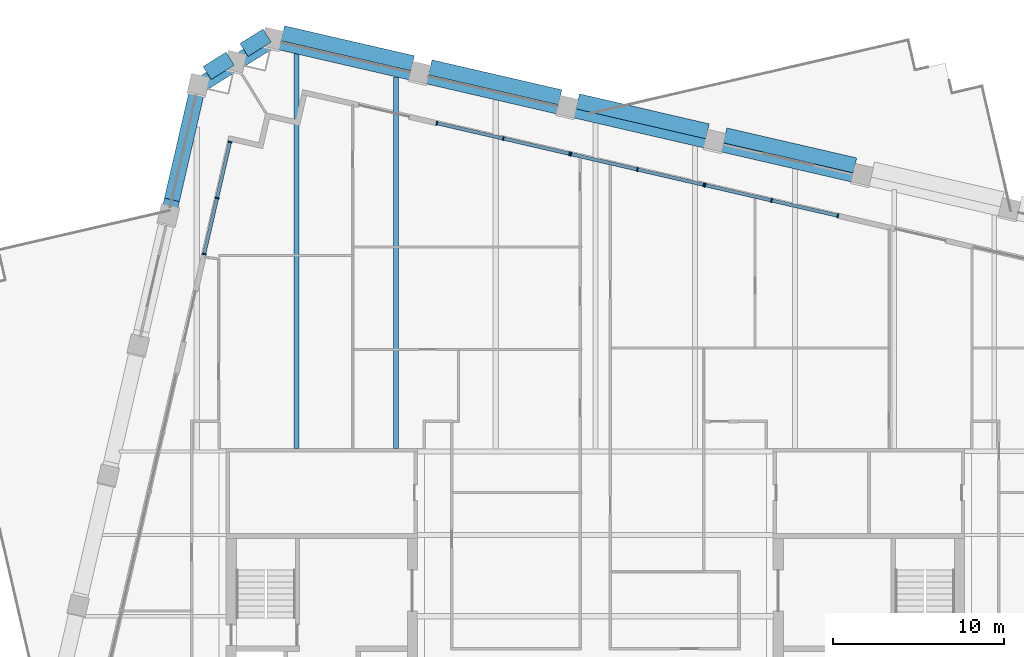
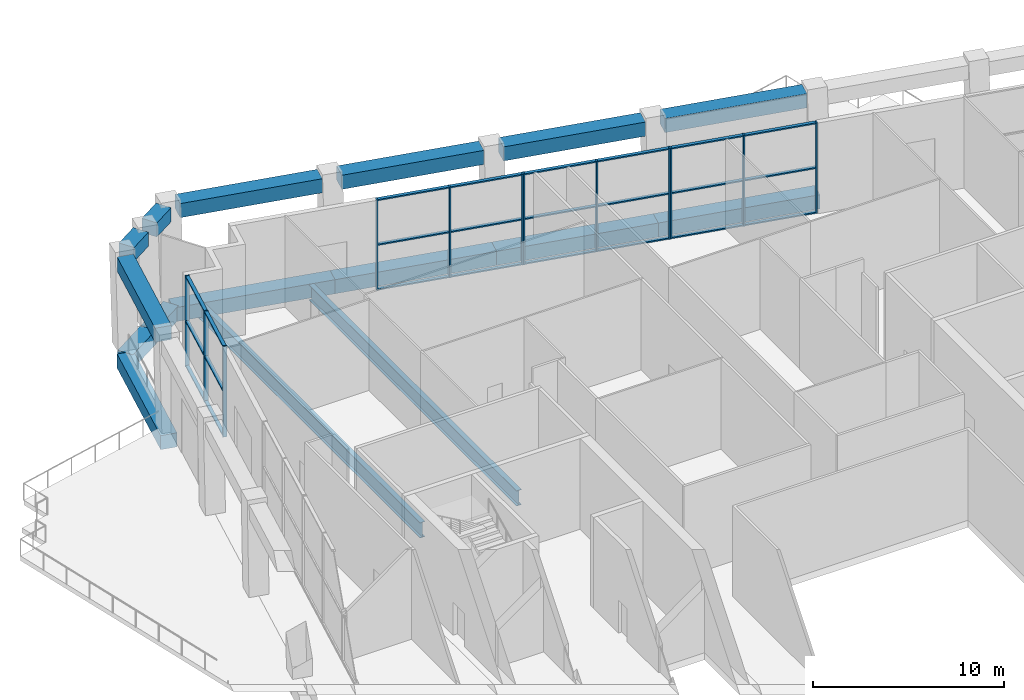
# One storey, part 8 of 21: 36 members, 16 beams, 4 elements without a shape of their own.
"""IFC4 building model written with IfcOpenShell, lengths in metres."""

import ifcopenshell
import ifcopenshell.guid

model = None  # the IFC model being written
_history = None  # IfcOwnerHistory: only IFC2X3 demands one
_inside = {}  # id of a spatial element -> (the spatial element, [elements in it])
_under = {}  # id of a project, library or spatial element -> (it, [spatial elements below it])
_declared = {}  # id of a project -> (the project, [libraries it declares])
_typed = {}  # id of a type object -> (the type object, [elements of that type])
_made_of = {}  # id of a material, layer set ... -> (it, [elements and type objects made of it])


def new_model(schema):
    """Start an empty IFC model of exactly this schema.

    Asked for "IFC4X3", IfcOpenShell would pick the latest addendum, in which some entities
    have other attributes; the version numbers below select the first issue.
    IFC2X3 requires an IfcOwnerHistory on every rooted entity: one is made here for all.
    """
    global model, _history
    if schema == "IFC4X3":
        model = ifcopenshell.file(schema_version=(4, 3, 0, 0))
    else:
        model = ifcopenshell.file(schema=schema)
    _inside.clear()
    _under.clear()
    _declared.clear()
    _typed.clear()
    _made_of.clear()
    _history = None
    if model.schema == "IFC2X3":
        org = make("IfcOrganization", Name="unknown")
        user = make(
            "IfcPersonAndOrganization",
            ThePerson=make("IfcPerson", FamilyName="unknown"),
            TheOrganization=org,
        )
        app = make(
            "IfcApplication",
            ApplicationDeveloper=org,
            Version="unknown",
            ApplicationFullName="unknown",
            ApplicationIdentifier="unknown",
        )
        _history = make(
            "IfcOwnerHistory",
            OwningUser=user,
            OwningApplication=app,
            ChangeAction="ADDED",
            CreationDate=0,
        )
    return model


def make(cls, **values):
    """One entity of the class cls with the attributes given. An attribute that is None is left unset."""
    return model.create_entity(
        cls, **{name: value for name, value in values.items() if value is not None}
    )


def rooted(cls, **values):
    """An entity with a GlobalId (a new one), such as an element, a storey or a relation."""
    return make(cls, GlobalId=ifcopenshell.guid.new(), OwnerHistory=_history, **values)


def si_unit(unit_type, name, prefix=None):
    """IfcSIUnit, for example si_unit("LENGTHUNIT", "METRE", prefix="MILLI")."""
    return make("IfcSIUnit", UnitType=unit_type, Prefix=prefix, Name=name)


def assignment(units):
    """IfcUnitAssignment: the units of a project."""
    return None if units is None else make("IfcUnitAssignment", Units=units)


def point(xyz):
    """IfcCartesianPoint."""
    return None if xyz is None else make("IfcCartesianPoint", Coordinates=xyz)


def direction(xyz):
    """IfcDirection."""
    return None if xyz is None else make("IfcDirection", DirectionRatios=xyz)


def frame(location, z_axis=None, x_axis=None):
    """IfcAxis2Placement3D, a coordinate frame: its origin and axes. An axis left out is left unset."""
    return make(
        "IfcAxis2Placement3D",
        Location=point(location),
        Axis=direction(z_axis),
        RefDirection=direction(x_axis),
    )


def frame_2d(location, x_axis=None):
    """IfcAxis2Placement2D, a coordinate frame in the plane: its origin and x axis."""
    return make(
        "IfcAxis2Placement2D", Location=point(location), RefDirection=direction(x_axis)
    )


def origin():
    """The frame at (0, 0, 0) with its axes left unset."""
    return frame((0.0, 0.0, 0.0))


def origin_2d():
    """The frame at (0, 0) in the plane with its x axis left unset."""
    return frame_2d((0.0, 0.0))


def place(relative_to, where):
    """IfcLocalPlacement: puts the frame where relative to a parent placement (None: the world)."""
    return make(
        "IfcLocalPlacement", PlacementRelTo=relative_to, RelativePlacement=where
    )


def context(
    kind, dimensions, precision=None, world=None, true_north=None, identifier=None
):
    """IfcGeometricRepresentationContext, for example the 3D "Model" context."""
    return make(
        "IfcGeometricRepresentationContext",
        ContextIdentifier=identifier,
        ContextType=kind,
        CoordinateSpaceDimension=dimensions,
        Precision=precision,
        WorldCoordinateSystem=world,
        TrueNorth=true_north,
    )


def subcontext(parent, identifier, kind, view, scale=None):
    """IfcGeometricRepresentationSubContext, for example "Body" below "Model"."""
    return make(
        "IfcGeometricRepresentationSubContext",
        ContextIdentifier=identifier,
        ContextType=kind,
        ParentContext=parent,
        TargetScale=scale,
        TargetView=view,
    )


def project(units=None, contexts=None):
    """IfcProject with its units and contexts."""
    return rooted(
        "IfcProject",
        Name="project",
        RepresentationContexts=contexts,
        UnitsInContext=assignment(units),
    )


def spatial(cls, under=None, at=None, **own):
    """A site, building, storey or space (cls), placed at a placement, below another one or the project."""
    s = rooted(cls, ObjectPlacement=at, **own)
    if under is not None:
        _under.setdefault(under.id(), (under, []))[1].append(s)
    return s


def profile(cls, at=None, kind="AREA", **sizes):
    """A parametric profile (cls). Its sizes go by their IFC names, for example OverallWidth=200.0."""
    return make(cls, ProfileType=kind, Position=at, **sizes)


def rectangle(**sizes):
    """IfcRectangleProfileDef."""
    return profile("IfcRectangleProfileDef", **sizes)


def i_section(**sizes):
    """IfcIShapeProfileDef."""
    return profile("IfcIShapeProfileDef", **sizes)


def extrude(swept, where, along, depth):
    """IfcExtrudedAreaSolid: the profile swept, set in the frame where, extruded along a direction by depth."""
    return make(
        "IfcExtrudedAreaSolid",
        SweptArea=swept,
        Position=where,
        ExtrudedDirection=direction(along),
        Depth=depth,
    )


def shape(context_of_items, identifier, shape_type, items):
    """IfcShapeRepresentation: the items that make up one representation, for example the "Body"."""
    return make(
        "IfcShapeRepresentation",
        ContextOfItems=context_of_items,
        RepresentationIdentifier=identifier,
        RepresentationType=shape_type,
        Items=items,
    )


def material(Name=None, Category=None):
    """IfcMaterial."""
    return make("IfcMaterial", Name=Name, Category=Category)


def material_profile(
    of_material, cross_section, Name=None, Category=None, Priority=None
):
    """IfcMaterialProfile: a cross section and its material."""
    return make(
        "IfcMaterialProfile",
        Name=Name,
        Material=of_material,
        Profile=cross_section,
        Priority=Priority,
        Category=Category,
    )


def profile_set(profiles, Name=None, composite=None):
    """IfcMaterialProfileSet."""
    return make(
        "IfcMaterialProfileSet",
        Name=Name,
        MaterialProfiles=profiles,
        CompositeProfile=composite,
    )


def made_of(thing, what):
    """Note that an element or type object is made of a material, layer set ...; save() writes the relation."""
    if what is not None:
        _made_of.setdefault(what.id(), (what, []))[1].append(thing)
    return thing


def type_object(cls, material=None, **own):
    """A type object (cls), such as IfcWallType, which elements share."""
    return made_of(rooted(cls, **own), material)


def element(
    cls,
    number,
    at=None,
    inside=None,
    cuts=None,
    type_object=None,
    material=None,
    context=None,
    identifier="Body",
    shape_type=None,
    held_by="IfcProductDefinitionShape",
    body=None,
    shapes=None,
    **own,
):
    """One element of the class cls, such as IfcWall. Its Tag is "e" and its number.

    at: its placement. inside: the storey or other place that contains it. cuts: it is an
    opening in that element (IfcRelVoidsElement). A single representation is given by context,
    identifier, shape_type and body (its items); several are given by shapes. held_by: the class
    of the entity that holds the representations. save() writes the other relations.
    """
    e = rooted(cls, Tag="e%d" % number, ObjectPlacement=at, **own)
    if body is not None:
        shapes = [shape(context, identifier, shape_type, body)]
    if shapes is not None:
        e.Representation = make(held_by, Representations=shapes)
    if inside is not None:
        _inside.setdefault(inside.id(), (inside, []))[1].append(e)
    if cuts is not None:
        rooted(
            "IfcRelVoidsElement", RelatingBuildingElement=cuts, RelatedOpeningElement=e
        )
    if type_object is not None:
        _typed.setdefault(type_object.id(), (type_object, []))[1].append(e)
    return made_of(e, material)


def aggregate(whole, parts):
    """IfcRelAggregates: a whole, such as a stair, and the parts it consists of."""
    return rooted("IfcRelAggregates", RelatingObject=whole, RelatedObjects=parts)


def save(model, path):
    """Write the relations noted so far, then the file.

    IfcRelAggregates (storeys below a building ...), IfcRelContainedInSpatialStructure (elements
    in a storey), IfcRelDefinesByType, IfcRelAssociatesMaterial and IfcRelDeclares: one each for
    every whole, place, type object, material and project.
    """
    for whole, parts in _under.values():
        aggregate(whole, parts)
    for where, things in _inside.values():
        rooted(
            "IfcRelContainedInSpatialStructure",
            RelatedElements=things,
            RelatingStructure=where,
        )
    for kind, things in _typed.values():
        rooted("IfcRelDefinesByType", RelatedObjects=things, RelatingType=kind)
    for what, things in _made_of.values():
        rooted("IfcRelAssociatesMaterial", RelatedObjects=things, RelatingMaterial=what)
    for by, libraries in _declared.values():
        rooted("IfcRelDeclares", RelatingContext=by, RelatedDefinitions=libraries)
    model.write(path)


model = new_model("IFC4")

# Units and contexts
model_context = context("Model", 3, precision=1e-05, world=origin(), true_north=direction((0.0, 1.0)))
body_context = subcontext(model_context, "Body", "Model", "MODEL_VIEW")
ifc_project = project(units=[si_unit("LENGTHUNIT", "METRE"), si_unit("AREAUNIT", "SQUARE_METRE"), si_unit("VOLUMEUNIT", "CUBIC_METRE"), si_unit("PLANEANGLEUNIT", "RADIAN"), si_unit("MASSUNIT", "GRAM", prefix="KILO")], contexts=[model_context])

# Site, building, storey
site_placement = place(None, origin())
site = spatial("IfcSite", under=ifc_project, at=site_placement, CompositionType="ELEMENT")
building_placement = place(site_placement, origin())
building = spatial("IfcBuilding", under=site, at=building_placement, Name="Ogive Exchange Tower", CompositionType="ELEMENT")
storey_placement = place(building_placement, frame((0.0, 0.0, 237.0)))
storey = spatial("IfcBuildingStorey", under=building, at=storey_placement, Name="L51", CompositionType="ELEMENT", Elevation=237.0)

# Beams
ifc_material_1 = material(Name="Steel ASTM A992 Gr50", Category="steel")
ifc_material_profile_1 = material_profile(ifc_material_1, i_section(OverallWidth=0.300048828125, OverallDepth=0.97998046875, WebThickness=0.0166015625, FlangeThickness=0.026123046875, at=origin_2d()), Name="W1000x249")
ifc_profile_set_1 = profile_set([ifc_material_profile_1], Name="Steel ASTM A992 Gr50")
beam_type_1 = type_object("IfcBeamType", Name="Floor beam W1000x249", PredefinedType="JOIST", material=ifc_profile_set_1)
beam_1_placement = place(storey_placement, frame((-17.489501953125, 30.699951171875, -0.93994140625), z_axis=(0.0, 1.0, 0.0), x_axis=(-1.0, 0.0, 0.0)))
element("IfcBeam", 1, at=beam_1_placement, inside=storey, type_object=beam_type_1, Name="Floor beam", PredefinedType="JOIST", context=body_context, shape_type="SweptSolid", body=[
    extrude(i_section(OverallWidth=0.300048828125, OverallDepth=0.97998046875, WebThickness=0.0166015625, FlangeThickness=0.026123046875, at=origin_2d()), origin(), (0.0, 0.0, 1.0), 23.23876953125),
])
beam_2_placement = place(storey_placement, frame((-11.65966796875, 30.699951171875, -0.93994140625), z_axis=(0.0, 1.0, 0.0), x_axis=(-1.0, 0.0, 0.0)))
element("IfcBeam", 2, at=beam_2_placement, inside=storey, type_object=beam_type_1, Name="Floor beam", PredefinedType="JOIST", context=body_context, shape_type="SweptSolid", body=[
    extrude(i_section(OverallWidth=0.300048828125, OverallDepth=0.97998046875, WebThickness=0.0166015625, FlangeThickness=0.026123046875, at=origin_2d()), origin(), (0.0, 0.0, 1.0), 21.742919921875),
])
ifc_material_2 = material(Name="Precast concrete C70/85 (limestone faced)", Category="masonry")
ifc_material_profile_2 = material_profile(ifc_material_2, rectangle(XDim=0.89990234375, YDim=0.89990234375, at=origin_2d()), Name="900 x 900")
ifc_profile_set_2 = profile_set([ifc_material_profile_2], Name="Precast concrete C70/85 (limestone faced)")
beam_type_2 = type_object("IfcBeamType", Name="Precast spandrel 900 x 900 C70/85", PredefinedType="SPANDREL", material=ifc_profile_set_2)
beam_3_placement = place(storey_placement, frame((15.180419921875, 47.267822265625, 5.300048828125), z_axis=(-0.974367949416, 0.224960216819, 0.0), x_axis=(-0.224960216819, -0.974367949416, 0.0)))
element("IfcBeam", 3, at=beam_3_placement, inside=storey, type_object=beam_type_2, Name="Spandrel 20", PredefinedType="SPANDREL", context=body_context, shape_type="SweptSolid", body=[
    extrude(rectangle(XDim=0.89990234375, YDim=0.89990234375, at=origin_2d()), origin(), (0.0, 0.0, 1.0), 7.7900390625),
])
beam_4_placement = place(storey_placement, frame((6.557373046875, 49.2587890625, 5.300048828125), z_axis=(-0.97437640416, 0.22492359373, 0.0), x_axis=(-0.22492359373, -0.97437640416, 0.0)))
element("IfcBeam", 4, at=beam_4_placement, inside=storey, type_object=beam_type_2, Name="Spandrel 21", PredefinedType="SPANDREL", context=body_context, shape_type="SweptSolid", body=[
    extrude(rectangle(XDim=0.89990234375, YDim=0.89990234375, at=origin_2d()), origin(), (0.0, 0.0, 1.0), 7.790283203125),
])
beam_5_placement = place(storey_placement, frame((-2.06591796875, 51.24951171875, 5.300048828125), z_axis=(-0.974367949416, 0.224960216819, 0.0), x_axis=(-0.224960216819, -0.974367949416, 0.0)))
element("IfcBeam", 5, at=beam_5_placement, inside=storey, type_object=beam_type_2, Name="Spandrel 22", PredefinedType="SPANDREL", context=body_context, shape_type="SweptSolid", body=[
    extrude(rectangle(XDim=0.89990234375, YDim=0.89990234375, at=origin_2d()), origin(), (0.0, 0.0, 1.0), 7.7900390625),
])
beam_6_placement = place(storey_placement, frame((-10.689208984375, 53.240478515625, 5.300048828125), z_axis=(-0.9743732329, 0.224937331291, 0.0), x_axis=(-0.224937331291, -0.9743732329, 0.0)))
element("IfcBeam", 6, at=beam_6_placement, inside=storey, type_object=beam_type_2, Name="Spandrel 23", PredefinedType="SPANDREL", context=body_context, shape_type="SweptSolid", body=[
    extrude(rectangle(XDim=0.89990234375, YDim=0.89990234375, at=origin_2d()), origin(), (0.0, 0.0, 1.0), 7.789794921875),
])
for number, where, z_axis, x_axis, name in (
    (7, (-19.200927734375, 54.85888671875, 5.300048828125), (-0.84798967817, -0.53001274109, 0.0), (0.53001274109, -0.84798967817, 0.0), "Spandrel 24"),
    (8, (-21.35986328125, 53.509765625, 5.300048828125), (-0.848058683477, -0.529902320601, 0.0), (0.529902320601, -0.848058683477, 0.0), "Spandrel 25"),
):
    element("IfcBeam", number, at=place(storey_placement, frame(where, z_axis=z_axis, x_axis=x_axis)), inside=storey, type_object=beam_type_2, Name=name, PredefinedType="SPANDREL", context=body_context, shape_type="SweptSolid", body=[
        extrude(rectangle(XDim=0.89990234375, YDim=0.89990234375, at=origin_2d()), origin(), (0.0, 0.0, 1.0), 1.590087890625),
    ])
beam_7_placement = place(storey_placement, frame((-23.232666015625, 51.897705078125, 5.300048828125), z_axis=(-0.224945807101, -0.974371276192, 0.0), x_axis=(0.974371276192, -0.224945807101, 0.0)))
element("IfcBeam", 9, at=beam_7_placement, inside=storey, type_object=beam_type_2, Name="Spandrel 26", PredefinedType="SPANDREL", context=body_context, shape_type="SweptSolid", body=[
    extrude(rectangle(XDim=0.89990234375, YDim=0.89990234375, at=origin_2d()), origin(), (0.0, 0.0, 1.0), 6.818115234375),
])
ifc_material_profile_3 = material_profile(ifc_material_2, rectangle(XDim=0.89990234375, YDim=0.89990234375, at=origin_2d()), Name="900 x 900")
ifc_profile_set_3 = profile_set([ifc_material_profile_3], Name="Precast concrete C70/85 (limestone faced)")
beam_type_3 = type_object("IfcBeamType", Name="Precast transfer girder 900 x 900 C70/85", PredefinedType="BEAM", material=ifc_profile_set_3)
beam_8_placement = place(storey_placement, frame((15.57421875, 46.6171875, -0.89990234375), z_axis=(-0.974373060008, 0.224938080216, 0.0), x_axis=(-0.224938080216, -0.974373060008, 0.0)))
element("IfcBeam", 10, at=beam_8_placement, inside=storey, type_object=beam_type_3, Name="Transfer girder 20", PredefinedType="BEAM", context=body_context, shape_type="SweptSolid", body=[
    extrude(rectangle(XDim=0.89990234375, YDim=0.89990234375, at=origin_2d()), origin(), (0.0, 0.0, 1.0), 8.85009765625),
])
beam_9_placement = place(storey_placement, frame((6.950927734375, 48.60791015625, -0.89990234375), z_axis=(-0.974365617364, 0.224970317373, 0.0), x_axis=(-0.224970317373, -0.974365617364, 0.0)))
element("IfcBeam", 11, at=beam_9_placement, inside=storey, type_object=beam_type_3, Name="Transfer girder 21", PredefinedType="BEAM", context=body_context, shape_type="SweptSolid", body=[
    extrude(rectangle(XDim=0.89990234375, YDim=0.89990234375, at=origin_2d()), origin(), (0.0, 0.0, 1.0), 8.849853515625),
])
beam_10_placement = place(storey_placement, frame((-1.672119140625, 50.598876953125, -0.89990234375), z_axis=(-0.974373060008, 0.224938080216, 0.0), x_axis=(-0.224938080216, -0.974373060008, 0.0)))
element("IfcBeam", 12, at=beam_10_placement, inside=storey, type_object=beam_type_3, Name="Transfer girder 22", PredefinedType="BEAM", context=body_context, shape_type="SweptSolid", body=[
    extrude(rectangle(XDim=0.89990234375, YDim=0.89990234375, at=origin_2d()), origin(), (0.0, 0.0, 1.0), 8.85009765625),
])
beam_11_placement = place(storey_placement, frame((-10.29541015625, 52.589599609375, -0.89990234375), z_axis=(-0.974365617364, 0.224970317373, 0.0), x_axis=(-0.224970317373, -0.974365617364, 0.0)))
element("IfcBeam", 13, at=beam_11_placement, inside=storey, type_object=beam_type_3, Name="Transfer girder 23", PredefinedType="BEAM", context=body_context, shape_type="SweptSolid", body=[
    extrude(rectangle(XDim=0.89990234375, YDim=0.89990234375, at=origin_2d()), origin(), (0.0, 0.0, 1.0), 8.849853515625),
])
beam_12_placement = place(storey_placement, frame((-18.91845703125, 54.58056640625, -0.89990234375), z_axis=(-0.848036015, -0.529938597635, 0.0), x_axis=(0.529938597635, -0.848036015, 0.0)))
element("IfcBeam", 14, at=beam_12_placement, inside=storey, type_object=beam_type_3, Name="Transfer girder 24", PredefinedType="BEAM", context=body_context, shape_type="SweptSolid", body=[
    extrude(rectangle(XDim=0.89990234375, YDim=0.89990234375, at=origin_2d()), origin(), (0.0, 0.0, 1.0), 2.5458984375),
])
beam_13_placement = place(storey_placement, frame((-21.077392578125, 53.2314453125, -0.89990234375), z_axis=(-0.848052182659, -0.529912724405, 0.0), x_axis=(0.529912724405, -0.848052182659, 0.0)))
element("IfcBeam", 15, at=beam_13_placement, inside=storey, type_object=beam_type_3, Name="Transfer girder 25", PredefinedType="BEAM", context=body_context, shape_type="SweptSolid", body=[
    extrude(rectangle(XDim=0.89990234375, YDim=0.89990234375, at=origin_2d()), origin(), (0.0, 0.0, 1.0), 2.54541015625),
])
beam_14_placement = place(storey_placement, frame((-23.236083984375, 51.882568359375, -0.89990234375), z_axis=(-0.22495322987, -0.974369562523, 0.0), x_axis=(0.974369562523, -0.22495322987, 0.0)))
element("IfcBeam", 16, at=beam_14_placement, inside=storey, type_object=beam_type_3, Name="Transfer girder 26", PredefinedType="BEAM", context=body_context, shape_type="SweptSolid", body=[
    extrude(rectangle(XDim=0.89990234375, YDim=0.89990234375, at=origin_2d()), origin(), (0.0, 0.0, 1.0), 7.800048828125),
])

# Curtain wall, members
ifc_material_3 = material(Name="Anodised aluminium and clear glass", Category="aluminium")
curtain_wall_type = type_object("IfcCurtainWallType", Name="Winter garden glazing", PredefinedType="NOTDEFINED", material=ifc_material_3)
curtain_wall_1_placement = place(storey_placement, origin())
curtain_wall_1 = element("IfcCurtainWall", 17, at=curtain_wall_1_placement, inside=storey, type_object=curtain_wall_type, Name="Winter garden glazing run G16", PredefinedType="NOTDEFINED")
ifc_material_4 = material(Name="Anodised aluminium", Category="aluminium")
ifc_material_profile_4 = material_profile(ifc_material_4, rectangle(XDim=0.239990234375, YDim=0.080078125, at=origin_2d()), Name="AL 80x240")
ifc_profile_set_4 = profile_set([ifc_material_profile_4], Name="Anodised aluminium")
member_type_1 = type_object("IfcMemberType", Name="Winter garden glazing mullion 80 x 240", PredefinedType="MULLION", material=ifc_profile_set_4)
member_1_placement = place(storey_placement, frame((14.18212890625, 44.321533203125, 0.0), z_axis=(0.0, 0.0, 1.0), x_axis=(-0.224958396731, -0.974368369632, 0.0)))
member_1 = element("IfcMember", 18, at=member_1_placement, type_object=member_type_1, Name="G16 mullion 1", PredefinedType="MULLION", context=body_context, shape_type="SweptSolid", body=[
    extrude(rectangle(XDim=0.239990234375, YDim=0.080078125, at=origin_2d()), origin(), (0.0, 0.0, 1.0), 5.800048828125),
])
member_2_placement = place(storey_placement, frame((10.29931640625, 45.218017578125, 0.0), z_axis=(0.0, 0.0, 1.0), x_axis=(-0.224958396731, -0.974368369632, 0.0)))
member_2 = element("IfcMember", 19, at=member_2_placement, type_object=member_type_1, Name="G16 mullion 2", PredefinedType="MULLION", context=body_context, shape_type="SweptSolid", body=[
    extrude(rectangle(XDim=0.239990234375, YDim=0.080078125, at=origin_2d()), origin(), (0.0, 0.0, 1.0), 5.800048828125),
])
member_3_placement = place(storey_placement, frame((6.416259765625, 46.114501953125, 0.0), z_axis=(0.0, 0.0, 1.0), x_axis=(-0.224958396731, -0.974368369632, 0.0)))
member_3 = element("IfcMember", 20, at=member_3_placement, type_object=member_type_1, Name="G16 mullion 3", PredefinedType="MULLION", context=body_context, shape_type="SweptSolid", body=[
    extrude(rectangle(XDim=0.239990234375, YDim=0.080078125, at=origin_2d()), origin(), (0.0, 0.0, 1.0), 5.800048828125),
])

curtain_wall_2_placement = place(storey_placement, origin())
curtain_wall_2 = element("IfcCurtainWall", 21, at=curtain_wall_2_placement, inside=storey, type_object=curtain_wall_type, Name="Winter garden glazing run G17", PredefinedType="NOTDEFINED")
member_4_placement = place(storey_placement, frame((6.33837890625, 46.13232421875, 0.0), z_axis=(0.0, 0.0, 1.0), x_axis=(-0.224943880116, -0.974371721058, 0.0)))
member_4 = element("IfcMember", 22, at=member_4_placement, type_object=member_type_1, Name="G17 mullion 1", PredefinedType="MULLION", context=body_context, shape_type="SweptSolid", body=[
    extrude(rectangle(XDim=0.239990234375, YDim=0.080078125, at=origin_2d()), origin(), (0.0, 0.0, 1.0), 5.800048828125),
])
member_5_placement = place(storey_placement, frame((2.45556640625, 47.02880859375, 0.0), z_axis=(0.0, 0.0, 1.0), x_axis=(-0.224943880116, -0.974371721058, 0.0)))
member_5 = element("IfcMember", 23, at=member_5_placement, type_object=member_type_1, Name="G17 mullion 2", PredefinedType="MULLION", context=body_context, shape_type="SweptSolid", body=[
    extrude(rectangle(XDim=0.239990234375, YDim=0.080078125, at=origin_2d()), origin(), (0.0, 0.0, 1.0), 5.800048828125),
])
member_6_placement = place(storey_placement, frame((-1.42724609375, 47.92529296875, 0.0), z_axis=(0.0, 0.0, 1.0), x_axis=(-0.224943880116, -0.974371721058, 0.0)))
member_6 = element("IfcMember", 24, at=member_6_placement, type_object=member_type_1, Name="G17 mullion 3", PredefinedType="MULLION", context=body_context, shape_type="SweptSolid", body=[
    extrude(rectangle(XDim=0.239990234375, YDim=0.080078125, at=origin_2d()), origin(), (0.0, 0.0, 1.0), 5.800048828125),
])

curtain_wall_3_placement = place(storey_placement, origin())
curtain_wall_3 = element("IfcCurtainWall", 25, at=curtain_wall_3_placement, inside=storey, type_object=curtain_wall_type, Name="Winter garden glazing run G18", PredefinedType="NOTDEFINED")
member_7_placement = place(storey_placement, frame((-1.50537109375, 47.943115234375, 0.0), z_axis=(0.0, 0.0, 1.0), x_axis=(-0.224955673842, -0.974368998279, 0.0)))
member_7 = element("IfcMember", 26, at=member_7_placement, type_object=member_type_1, Name="G18 mullion 1", PredefinedType="MULLION", context=body_context, shape_type="SweptSolid", body=[
    extrude(rectangle(XDim=0.239990234375, YDim=0.080078125, at=origin_2d()), origin(), (0.0, 0.0, 1.0), 5.800048828125),
])
member_8_placement = place(storey_placement, frame((-5.38818359375, 48.839599609375, 0.0), z_axis=(0.0, 0.0, 1.0), x_axis=(-0.224955673842, -0.974368998279, 0.0)))
member_8 = element("IfcMember", 27, at=member_8_placement, type_object=member_type_1, Name="G18 mullion 2", PredefinedType="MULLION", context=body_context, shape_type="SweptSolid", body=[
    extrude(rectangle(XDim=0.239990234375, YDim=0.080078125, at=origin_2d()), origin(), (0.0, 0.0, 1.0), 5.800048828125),
])
member_9_placement = place(storey_placement, frame((-9.27099609375, 49.736083984375, 0.0), z_axis=(0.0, 0.0, 1.0), x_axis=(-0.224955673842, -0.974368998279, 0.0)))
member_9 = element("IfcMember", 28, at=member_9_placement, type_object=member_type_1, Name="G18 mullion 3", PredefinedType="MULLION", context=body_context, shape_type="SweptSolid", body=[
    extrude(rectangle(XDim=0.239990234375, YDim=0.080078125, at=origin_2d()), origin(), (0.0, 0.0, 1.0), 5.800048828125),
])

curtain_wall_4_placement = place(storey_placement, origin())
curtain_wall_4 = element("IfcCurtainWall", 29, at=curtain_wall_4_placement, inside=storey, type_object=curtain_wall_type, Name="Winter garden glazing run G20", PredefinedType="NOTDEFINED")
member_10_placement = place(storey_placement, frame((-21.367919921875, 48.63916015625, 0.0), z_axis=(0.0, 0.0, 1.0), x_axis=(0.974369920963, -0.224951677306, 0.0)))
member_10 = element("IfcMember", 30, at=member_10_placement, type_object=member_type_1, Name="G20 mullion 1", PredefinedType="MULLION", context=body_context, shape_type="SweptSolid", body=[
    extrude(rectangle(XDim=0.239990234375, YDim=0.080078125, at=origin_2d()), origin(), (0.0, 0.0, 1.0), 5.800048828125),
])
member_11_placement = place(storey_placement, frame((-22.125244140625, 45.3583984375, 0.0), z_axis=(0.0, 0.0, 1.0), x_axis=(0.974369920963, -0.224951677306, 0.0)))
member_11 = element("IfcMember", 31, at=member_11_placement, type_object=member_type_1, Name="G20 mullion 2", PredefinedType="MULLION", context=body_context, shape_type="SweptSolid", body=[
    extrude(rectangle(XDim=0.239990234375, YDim=0.080078125, at=origin_2d()), origin(), (0.0, 0.0, 1.0), 5.800048828125),
])
member_12_placement = place(storey_placement, frame((-22.8828125, 42.077392578125, 0.0), z_axis=(0.0, 0.0, 1.0), x_axis=(0.974369920963, -0.224951677306, 0.0)))
member_12 = element("IfcMember", 32, at=member_12_placement, type_object=member_type_1, Name="G20 mullion 3", PredefinedType="MULLION", context=body_context, shape_type="SweptSolid", body=[
    extrude(rectangle(XDim=0.239990234375, YDim=0.080078125, at=origin_2d()), origin(), (0.0, 0.0, 1.0), 5.800048828125),
])

# Member
ifc_material_profile_5 = material_profile(ifc_material_4, rectangle(XDim=0.199951171875, YDim=0.080078125, at=origin_2d()), Name="AL 80x200")
ifc_profile_set_5 = profile_set([ifc_material_profile_5], Name="Anodised aluminium")
member_type_2 = type_object("IfcMemberType", Name="Winter garden glazing transom 80 x 200", PredefinedType="USERDEFINED", material=ifc_profile_set_5)
member_13_placement = place(storey_placement, frame((14.14306640625, 44.33056640625, 0.0400390625), z_axis=(-0.974371171445, 0.224946260819, 0.0), x_axis=(-0.224946260819, -0.974371171445, 0.0)))
member_13 = element("IfcMember", 33, at=member_13_placement, type_object=member_type_2, Name="G16 transom 1.1", ObjectType="TRANSOM", PredefinedType="USERDEFINED", context=body_context, shape_type="SweptSolid", body=[
    extrude(rectangle(XDim=0.199951171875, YDim=0.080078125, at=origin_2d()), origin(), (0.0, 0.0, 1.0), 3.905029296875),
])

member_14_placement = place(storey_placement, frame((14.14306640625, 44.33056640625, 2.89990234375), z_axis=(-0.974371171445, 0.224946260819, 0.0), x_axis=(-0.224946260819, -0.974371171445, 0.0)))
member_14 = element("IfcMember", 34, at=member_14_placement, type_object=member_type_2, Name="G16 transom 1.2", ObjectType="TRANSOM", PredefinedType="USERDEFINED", context=body_context, shape_type="SweptSolid", body=[
    extrude(rectangle(XDim=0.199951171875, YDim=0.080078125, at=origin_2d()), origin(), (0.0, 0.0, 1.0), 3.905029296875),
])

member_15_placement = place(storey_placement, frame((14.14306640625, 44.33056640625, 5.760009765625), z_axis=(-0.974371171445, 0.224946260819, 0.0), x_axis=(-0.224946260819, -0.974371171445, 0.0)))
member_15 = element("IfcMember", 35, at=member_15_placement, type_object=member_type_2, Name="G16 transom 1.3", ObjectType="TRANSOM", PredefinedType="USERDEFINED", context=body_context, shape_type="SweptSolid", body=[
    extrude(rectangle(XDim=0.199951171875, YDim=0.080078125, at=origin_2d()), origin(), (0.0, 0.0, 1.0), 3.905029296875),
])

member_16_placement = place(storey_placement, frame((10.26025390625, 45.22705078125, 0.0400390625), z_axis=(-0.974371171445, 0.224946260819, 0.0), x_axis=(-0.224946260819, -0.974371171445, 0.0)))
member_16 = element("IfcMember", 36, at=member_16_placement, type_object=member_type_2, Name="G16 transom 2.1", ObjectType="TRANSOM", PredefinedType="USERDEFINED", context=body_context, shape_type="SweptSolid", body=[
    extrude(rectangle(XDim=0.199951171875, YDim=0.080078125, at=origin_2d()), origin(), (0.0, 0.0, 1.0), 3.905029296875),
])

member_17_placement = place(storey_placement, frame((10.26025390625, 45.22705078125, 2.89990234375), z_axis=(-0.974371171445, 0.224946260819, 0.0), x_axis=(-0.224946260819, -0.974371171445, 0.0)))
member_17 = element("IfcMember", 37, at=member_17_placement, type_object=member_type_2, Name="G16 transom 2.2", ObjectType="TRANSOM", PredefinedType="USERDEFINED", context=body_context, shape_type="SweptSolid", body=[
    extrude(rectangle(XDim=0.199951171875, YDim=0.080078125, at=origin_2d()), origin(), (0.0, 0.0, 1.0), 3.905029296875),
])

member_18_placement = place(storey_placement, frame((10.26025390625, 45.22705078125, 5.760009765625), z_axis=(-0.974371171445, 0.224946260819, 0.0), x_axis=(-0.224946260819, -0.974371171445, 0.0)))
member_18 = element("IfcMember", 38, at=member_18_placement, type_object=member_type_2, Name="G16 transom 2.3", ObjectType="TRANSOM", PredefinedType="USERDEFINED", context=body_context, shape_type="SweptSolid", body=[
    extrude(rectangle(XDim=0.199951171875, YDim=0.080078125, at=origin_2d()), origin(), (0.0, 0.0, 1.0), 3.905029296875),
])

aggregate(curtain_wall_1, [member_1, member_2, member_3, member_13, member_14, member_15, member_16, member_17, member_18])

member_19_placement = place(storey_placement, frame((6.299560546875, 46.141357421875, 0.0400390625), z_axis=(-0.974371171445, 0.224946260819, 0.0), x_axis=(-0.224946260819, -0.974371171445, 0.0)))
member_19 = element("IfcMember", 39, at=member_19_placement, type_object=member_type_2, Name="G17 transom 1.1", ObjectType="TRANSOM", PredefinedType="USERDEFINED", context=body_context, shape_type="SweptSolid", body=[
    extrude(rectangle(XDim=0.199951171875, YDim=0.080078125, at=origin_2d()), origin(), (0.0, 0.0, 1.0), 3.905029296875),
])

member_20_placement = place(storey_placement, frame((6.299560546875, 46.141357421875, 2.89990234375), z_axis=(-0.974371171445, 0.224946260819, 0.0), x_axis=(-0.224946260819, -0.974371171445, 0.0)))
member_20 = element("IfcMember", 40, at=member_20_placement, type_object=member_type_2, Name="G17 transom 1.2", ObjectType="TRANSOM", PredefinedType="USERDEFINED", context=body_context, shape_type="SweptSolid", body=[
    extrude(rectangle(XDim=0.199951171875, YDim=0.080078125, at=origin_2d()), origin(), (0.0, 0.0, 1.0), 3.905029296875),
])

member_21_placement = place(storey_placement, frame((6.299560546875, 46.141357421875, 5.760009765625), z_axis=(-0.974371171445, 0.224946260819, 0.0), x_axis=(-0.224946260819, -0.974371171445, 0.0)))
member_21 = element("IfcMember", 41, at=member_21_placement, type_object=member_type_2, Name="G17 transom 1.3", ObjectType="TRANSOM", PredefinedType="USERDEFINED", context=body_context, shape_type="SweptSolid", body=[
    extrude(rectangle(XDim=0.199951171875, YDim=0.080078125, at=origin_2d()), origin(), (0.0, 0.0, 1.0), 3.905029296875),
])

member_22_placement = place(storey_placement, frame((2.41650390625, 47.037841796875, 0.0400390625), z_axis=(-0.974371171445, 0.224946260819, 0.0), x_axis=(-0.224946260819, -0.974371171445, 0.0)))
member_22 = element("IfcMember", 42, at=member_22_placement, type_object=member_type_2, Name="G17 transom 2.1", ObjectType="TRANSOM", PredefinedType="USERDEFINED", context=body_context, shape_type="SweptSolid", body=[
    extrude(rectangle(XDim=0.199951171875, YDim=0.080078125, at=origin_2d()), origin(), (0.0, 0.0, 1.0), 3.905029296875),
])

member_23_placement = place(storey_placement, frame((2.41650390625, 47.037841796875, 2.89990234375), z_axis=(-0.974371171445, 0.224946260819, 0.0), x_axis=(-0.224946260819, -0.974371171445, 0.0)))
member_23 = element("IfcMember", 43, at=member_23_placement, type_object=member_type_2, Name="G17 transom 2.2", ObjectType="TRANSOM", PredefinedType="USERDEFINED", context=body_context, shape_type="SweptSolid", body=[
    extrude(rectangle(XDim=0.199951171875, YDim=0.080078125, at=origin_2d()), origin(), (0.0, 0.0, 1.0), 3.905029296875),
])

member_24_placement = place(storey_placement, frame((2.41650390625, 47.037841796875, 5.760009765625), z_axis=(-0.974371171445, 0.224946260819, 0.0), x_axis=(-0.224946260819, -0.974371171445, 0.0)))
member_24 = element("IfcMember", 44, at=member_24_placement, type_object=member_type_2, Name="G17 transom 2.3", ObjectType="TRANSOM", PredefinedType="USERDEFINED", context=body_context, shape_type="SweptSolid", body=[
    extrude(rectangle(XDim=0.199951171875, YDim=0.080078125, at=origin_2d()), origin(), (0.0, 0.0, 1.0), 3.905029296875),
])

aggregate(curtain_wall_2, [member_4, member_5, member_6, member_19, member_20, member_21, member_22, member_23, member_24])

member_25_placement = place(storey_placement, frame((-1.544189453125, 47.9521484375, 0.0400390625), z_axis=(-0.974371171445, 0.224946260819, 0.0), x_axis=(-0.224946260819, -0.974371171445, 0.0)))
member_25 = element("IfcMember", 45, at=member_25_placement, type_object=member_type_2, Name="G18 transom 1.1", ObjectType="TRANSOM", PredefinedType="USERDEFINED", context=body_context, shape_type="SweptSolid", body=[
    extrude(rectangle(XDim=0.199951171875, YDim=0.080078125, at=origin_2d()), origin(), (0.0, 0.0, 1.0), 3.905029296875),
])

member_26_placement = place(storey_placement, frame((-1.544189453125, 47.9521484375, 2.89990234375), z_axis=(-0.974371171445, 0.224946260819, 0.0), x_axis=(-0.224946260819, -0.974371171445, 0.0)))
member_26 = element("IfcMember", 46, at=member_26_placement, type_object=member_type_2, Name="G18 transom 1.2", ObjectType="TRANSOM", PredefinedType="USERDEFINED", context=body_context, shape_type="SweptSolid", body=[
    extrude(rectangle(XDim=0.199951171875, YDim=0.080078125, at=origin_2d()), origin(), (0.0, 0.0, 1.0), 3.905029296875),
])

member_27_placement = place(storey_placement, frame((-1.544189453125, 47.9521484375, 5.760009765625), z_axis=(-0.974371171445, 0.224946260819, 0.0), x_axis=(-0.224946260819, -0.974371171445, 0.0)))
member_27 = element("IfcMember", 47, at=member_27_placement, type_object=member_type_2, Name="G18 transom 1.3", ObjectType="TRANSOM", PredefinedType="USERDEFINED", context=body_context, shape_type="SweptSolid", body=[
    extrude(rectangle(XDim=0.199951171875, YDim=0.080078125, at=origin_2d()), origin(), (0.0, 0.0, 1.0), 3.905029296875),
])

member_28_placement = place(storey_placement, frame((-5.42724609375, 48.8486328125, 0.0400390625), z_axis=(-0.974368007603, 0.224959964794, 0.0), x_axis=(-0.224959964794, -0.974368007603, 0.0)))
member_28 = element("IfcMember", 48, at=member_28_placement, type_object=member_type_2, Name="G18 transom 2.1", ObjectType="TRANSOM", PredefinedType="USERDEFINED", context=body_context, shape_type="SweptSolid", body=[
    extrude(rectangle(XDim=0.199951171875, YDim=0.080078125, at=origin_2d()), origin(), (0.0, 0.0, 1.0), 3.90478515625),
])

member_29_placement = place(storey_placement, frame((-5.42724609375, 48.8486328125, 2.89990234375), z_axis=(-0.974368007603, 0.224959964794, 0.0), x_axis=(-0.224959964794, -0.974368007603, 0.0)))
member_29 = element("IfcMember", 49, at=member_29_placement, type_object=member_type_2, Name="G18 transom 2.2", ObjectType="TRANSOM", PredefinedType="USERDEFINED", context=body_context, shape_type="SweptSolid", body=[
    extrude(rectangle(XDim=0.199951171875, YDim=0.080078125, at=origin_2d()), origin(), (0.0, 0.0, 1.0), 3.90478515625),
])

member_30_placement = place(storey_placement, frame((-5.42724609375, 48.8486328125, 5.760009765625), z_axis=(-0.974368007603, 0.224959964794, 0.0), x_axis=(-0.224959964794, -0.974368007603, 0.0)))
member_30 = element("IfcMember", 50, at=member_30_placement, type_object=member_type_2, Name="G18 transom 2.3", ObjectType="TRANSOM", PredefinedType="USERDEFINED", context=body_context, shape_type="SweptSolid", body=[
    extrude(rectangle(XDim=0.199951171875, YDim=0.080078125, at=origin_2d()), origin(), (0.0, 0.0, 1.0), 3.90478515625),
])

aggregate(curtain_wall_3, [member_7, member_8, member_9, member_25, member_26, member_27, member_28, member_29, member_30])

member_31_placement = place(storey_placement, frame((-21.376708984375, 48.600341796875, 0.0400390625), z_axis=(-0.224951712354, -0.974369912871, 0.0), x_axis=(0.974369912871, -0.224951712354, 0.0)))
member_31 = element("IfcMember", 51, at=member_31_placement, type_object=member_type_2, Name="G20 transom 1.1", ObjectType="TRANSOM", PredefinedType="USERDEFINED", context=body_context, shape_type="SweptSolid", body=[
    extrude(rectangle(XDim=0.199951171875, YDim=0.080078125, at=origin_2d()), origin(), (0.0, 0.0, 1.0), 3.287353515625),
])

member_32_placement = place(storey_placement, frame((-21.376708984375, 48.600341796875, 2.89990234375), z_axis=(-0.224951712354, -0.974369912871, 0.0), x_axis=(0.974369912871, -0.224951712354, 0.0)))
member_32 = element("IfcMember", 52, at=member_32_placement, type_object=member_type_2, Name="G20 transom 1.2", ObjectType="TRANSOM", PredefinedType="USERDEFINED", context=body_context, shape_type="SweptSolid", body=[
    extrude(rectangle(XDim=0.199951171875, YDim=0.080078125, at=origin_2d()), origin(), (0.0, 0.0, 1.0), 3.287353515625),
])

member_33_placement = place(storey_placement, frame((-21.376708984375, 48.600341796875, 5.760009765625), z_axis=(-0.224951712354, -0.974369912871, 0.0), x_axis=(0.974369912871, -0.224951712354, 0.0)))
member_33 = element("IfcMember", 53, at=member_33_placement, type_object=member_type_2, Name="G20 transom 1.3", ObjectType="TRANSOM", PredefinedType="USERDEFINED", context=body_context, shape_type="SweptSolid", body=[
    extrude(rectangle(XDim=0.199951171875, YDim=0.080078125, at=origin_2d()), origin(), (0.0, 0.0, 1.0), 3.287353515625),
])

member_34_placement = place(storey_placement, frame((-22.13427734375, 45.3193359375, 0.0400390625), z_axis=(-0.224967991582, -0.974366154361, 0.0), x_axis=(0.974366154361, -0.224967991582, 0.0)))
member_34 = element("IfcMember", 54, at=member_34_placement, type_object=member_type_2, Name="G20 transom 2.1", ObjectType="TRANSOM", PredefinedType="USERDEFINED", context=body_context, shape_type="SweptSolid", body=[
    extrude(rectangle(XDim=0.199951171875, YDim=0.080078125, at=origin_2d()), origin(), (0.0, 0.0, 1.0), 3.287109375),
])

member_35_placement = place(storey_placement, frame((-22.13427734375, 45.3193359375, 2.89990234375), z_axis=(-0.224967991582, -0.974366154361, 0.0), x_axis=(0.974366154361, -0.224967991582, 0.0)))
member_35 = element("IfcMember", 55, at=member_35_placement, type_object=member_type_2, Name="G20 transom 2.2", ObjectType="TRANSOM", PredefinedType="USERDEFINED", context=body_context, shape_type="SweptSolid", body=[
    extrude(rectangle(XDim=0.199951171875, YDim=0.080078125, at=origin_2d()), origin(), (0.0, 0.0, 1.0), 3.287109375),
])

member_36_placement = place(storey_placement, frame((-22.13427734375, 45.3193359375, 5.760009765625), z_axis=(-0.224967991582, -0.974366154361, 0.0), x_axis=(0.974366154361, -0.224967991582, 0.0)))
member_36 = element("IfcMember", 56, at=member_36_placement, type_object=member_type_2, Name="G20 transom 2.3", ObjectType="TRANSOM", PredefinedType="USERDEFINED", context=body_context, shape_type="SweptSolid", body=[
    extrude(rectangle(XDim=0.199951171875, YDim=0.080078125, at=origin_2d()), origin(), (0.0, 0.0, 1.0), 3.287109375),
])

aggregate(curtain_wall_4, [member_10, member_11, member_12, member_31, member_32, member_33, member_34, member_35, member_36])

save(model, "model.ifc")
